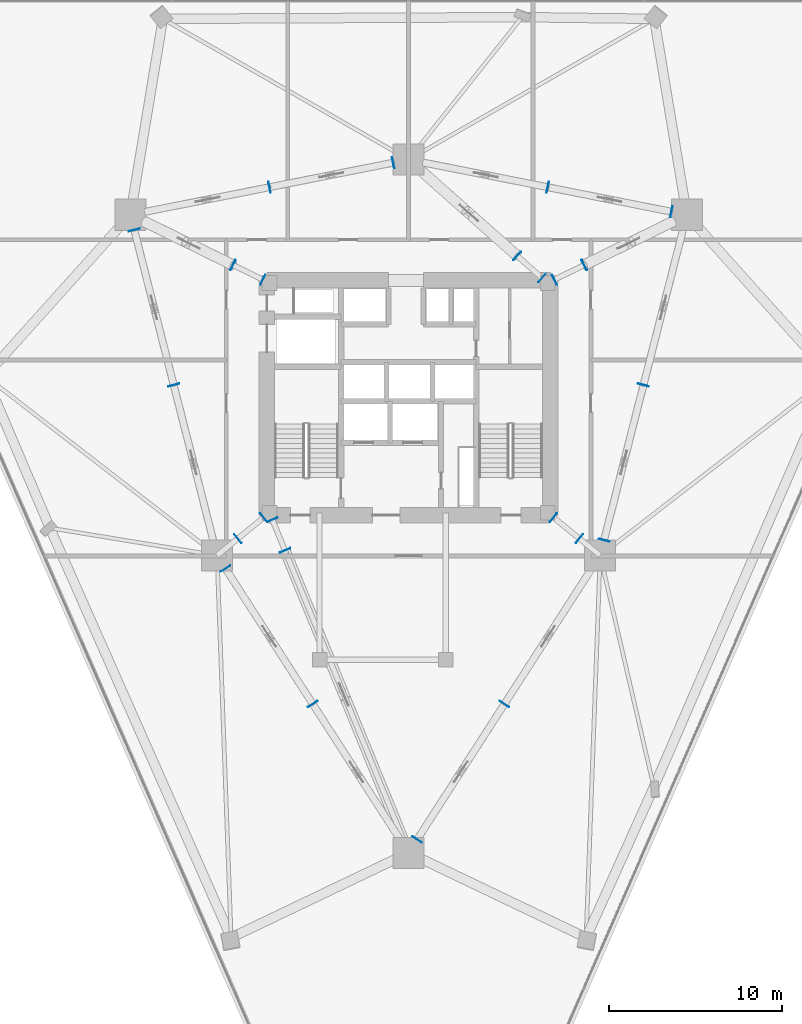
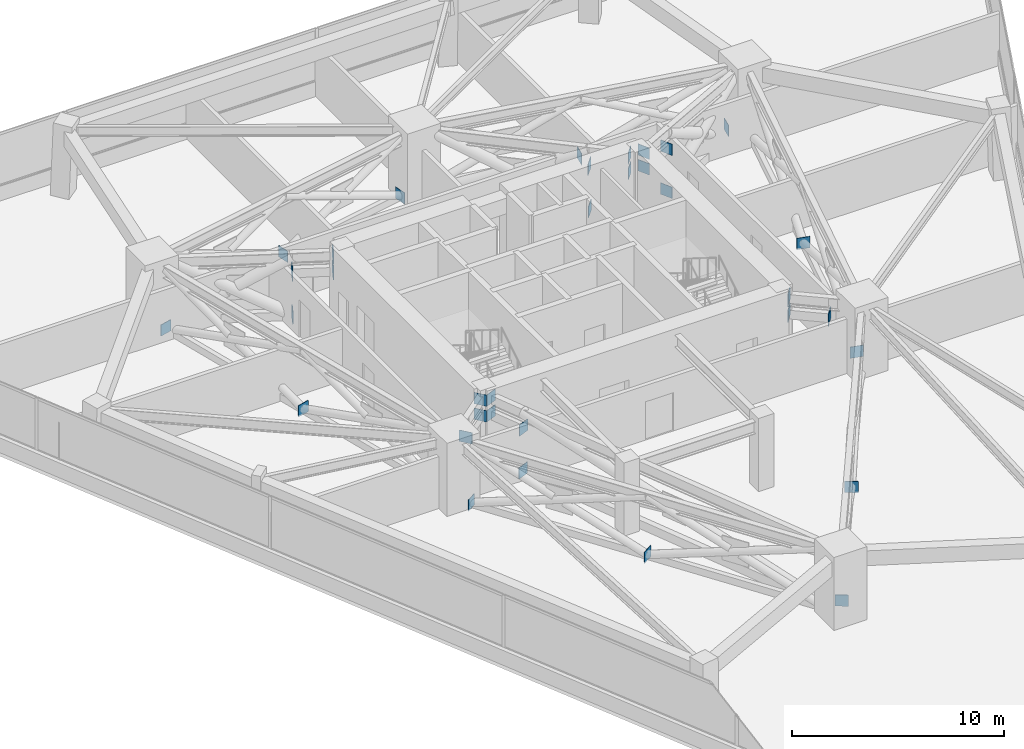
# One storey, part 16 of 20: 34 plates.
"""IFC4 building model written with IfcOpenShell, lengths in metres."""

import ifcopenshell
import ifcopenshell.guid

model = None  # the IFC model being written
_history = None  # IfcOwnerHistory: only IFC2X3 demands one
_inside = {}  # id of a spatial element -> (the spatial element, [elements in it])
_under = {}  # id of a project, library or spatial element -> (it, [spatial elements below it])
_declared = {}  # id of a project -> (the project, [libraries it declares])
_typed = {}  # id of a type object -> (the type object, [elements of that type])
_made_of = {}  # id of a material, layer set ... -> (it, [elements and type objects made of it])


def new_model(schema):
    """Start an empty IFC model of exactly this schema.

    Asked for "IFC4X3", IfcOpenShell would pick the latest addendum, in which some entities
    have other attributes; the version numbers below select the first issue.
    IFC2X3 requires an IfcOwnerHistory on every rooted entity: one is made here for all.
    """
    global model, _history
    if schema == "IFC4X3":
        model = ifcopenshell.file(schema_version=(4, 3, 0, 0))
    else:
        model = ifcopenshell.file(schema=schema)
    _inside.clear()
    _under.clear()
    _declared.clear()
    _typed.clear()
    _made_of.clear()
    _history = None
    if model.schema == "IFC2X3":
        org = make("IfcOrganization", Name="unknown")
        user = make(
            "IfcPersonAndOrganization",
            ThePerson=make("IfcPerson", FamilyName="unknown"),
            TheOrganization=org,
        )
        app = make(
            "IfcApplication",
            ApplicationDeveloper=org,
            Version="unknown",
            ApplicationFullName="unknown",
            ApplicationIdentifier="unknown",
        )
        _history = make(
            "IfcOwnerHistory",
            OwningUser=user,
            OwningApplication=app,
            ChangeAction="ADDED",
            CreationDate=0,
        )
    return model


def make(cls, **values):
    """One entity of the class cls with the attributes given. An attribute that is None is left unset."""
    return model.create_entity(
        cls, **{name: value for name, value in values.items() if value is not None}
    )


def rooted(cls, **values):
    """An entity with a GlobalId (a new one), such as an element, a storey or a relation."""
    return make(cls, GlobalId=ifcopenshell.guid.new(), OwnerHistory=_history, **values)


def si_unit(unit_type, name, prefix=None):
    """IfcSIUnit, for example si_unit("LENGTHUNIT", "METRE", prefix="MILLI")."""
    return make("IfcSIUnit", UnitType=unit_type, Prefix=prefix, Name=name)


def assignment(units):
    """IfcUnitAssignment: the units of a project."""
    return None if units is None else make("IfcUnitAssignment", Units=units)


def point(xyz):
    """IfcCartesianPoint."""
    return None if xyz is None else make("IfcCartesianPoint", Coordinates=xyz)


def direction(xyz):
    """IfcDirection."""
    return None if xyz is None else make("IfcDirection", DirectionRatios=xyz)


def frame(location, z_axis=None, x_axis=None):
    """IfcAxis2Placement3D, a coordinate frame: its origin and axes. An axis left out is left unset."""
    return make(
        "IfcAxis2Placement3D",
        Location=point(location),
        Axis=direction(z_axis),
        RefDirection=direction(x_axis),
    )


def frame_2d(location, x_axis=None):
    """IfcAxis2Placement2D, a coordinate frame in the plane: its origin and x axis."""
    return make(
        "IfcAxis2Placement2D", Location=point(location), RefDirection=direction(x_axis)
    )


def origin():
    """The frame at (0, 0, 0) with its axes left unset."""
    return frame((0.0, 0.0, 0.0))


def origin_2d():
    """The frame at (0, 0) in the plane with its x axis left unset."""
    return frame_2d((0.0, 0.0))


def place(relative_to, where):
    """IfcLocalPlacement: puts the frame where relative to a parent placement (None: the world)."""
    return make(
        "IfcLocalPlacement", PlacementRelTo=relative_to, RelativePlacement=where
    )


def context(
    kind, dimensions, precision=None, world=None, true_north=None, identifier=None
):
    """IfcGeometricRepresentationContext, for example the 3D "Model" context."""
    return make(
        "IfcGeometricRepresentationContext",
        ContextIdentifier=identifier,
        ContextType=kind,
        CoordinateSpaceDimension=dimensions,
        Precision=precision,
        WorldCoordinateSystem=world,
        TrueNorth=true_north,
    )


def subcontext(parent, identifier, kind, view, scale=None):
    """IfcGeometricRepresentationSubContext, for example "Body" below "Model"."""
    return make(
        "IfcGeometricRepresentationSubContext",
        ContextIdentifier=identifier,
        ContextType=kind,
        ParentContext=parent,
        TargetScale=scale,
        TargetView=view,
    )


def project(units=None, contexts=None):
    """IfcProject with its units and contexts."""
    return rooted(
        "IfcProject",
        Name="project",
        RepresentationContexts=contexts,
        UnitsInContext=assignment(units),
    )


def spatial(cls, under=None, at=None, **own):
    """A site, building, storey or space (cls), placed at a placement, below another one or the project."""
    s = rooted(cls, ObjectPlacement=at, **own)
    if under is not None:
        _under.setdefault(under.id(), (under, []))[1].append(s)
    return s


def profile(cls, at=None, kind="AREA", **sizes):
    """A parametric profile (cls). Its sizes go by their IFC names, for example OverallWidth=200.0."""
    return make(cls, ProfileType=kind, Position=at, **sizes)


def rectangle(**sizes):
    """IfcRectangleProfileDef."""
    return profile("IfcRectangleProfileDef", **sizes)


def extrude(swept, where, along, depth):
    """IfcExtrudedAreaSolid: the profile swept, set in the frame where, extruded along a direction by depth."""
    return make(
        "IfcExtrudedAreaSolid",
        SweptArea=swept,
        Position=where,
        ExtrudedDirection=direction(along),
        Depth=depth,
    )


def shape(context_of_items, identifier, shape_type, items):
    """IfcShapeRepresentation: the items that make up one representation, for example the "Body"."""
    return make(
        "IfcShapeRepresentation",
        ContextOfItems=context_of_items,
        RepresentationIdentifier=identifier,
        RepresentationType=shape_type,
        Items=items,
    )


def material(Name=None, Category=None):
    """IfcMaterial."""
    return make("IfcMaterial", Name=Name, Category=Category)


def layer(
    of_material, thickness, ventilated=None, Name=None, Category=None, Priority=None
):
    """IfcMaterialLayer: one layer of a wall or slab, of a material (None: an air gap)."""
    return make(
        "IfcMaterialLayer",
        Material=of_material,
        LayerThickness=thickness,
        IsVentilated=ventilated,
        Name=Name,
        Category=Category,
        Priority=Priority,
    )


def layer_set(layers, Name=None):
    """IfcMaterialLayerSet."""
    return make("IfcMaterialLayerSet", MaterialLayers=layers, LayerSetName=Name)


def made_of(thing, what):
    """Note that an element or type object is made of a material, layer set ...; save() writes the relation."""
    if what is not None:
        _made_of.setdefault(what.id(), (what, []))[1].append(thing)
    return thing


def type_object(cls, material=None, **own):
    """A type object (cls), such as IfcWallType, which elements share."""
    return made_of(rooted(cls, **own), material)


def element(
    cls,
    number,
    at=None,
    inside=None,
    cuts=None,
    type_object=None,
    material=None,
    context=None,
    identifier="Body",
    shape_type=None,
    held_by="IfcProductDefinitionShape",
    body=None,
    shapes=None,
    **own,
):
    """One element of the class cls, such as IfcWall. Its Tag is "e" and its number.

    at: its placement. inside: the storey or other place that contains it. cuts: it is an
    opening in that element (IfcRelVoidsElement). A single representation is given by context,
    identifier, shape_type and body (its items); several are given by shapes. held_by: the class
    of the entity that holds the representations. save() writes the other relations.
    """
    e = rooted(cls, Tag="e%d" % number, ObjectPlacement=at, **own)
    if body is not None:
        shapes = [shape(context, identifier, shape_type, body)]
    if shapes is not None:
        e.Representation = make(held_by, Representations=shapes)
    if inside is not None:
        _inside.setdefault(inside.id(), (inside, []))[1].append(e)
    if cuts is not None:
        rooted(
            "IfcRelVoidsElement", RelatingBuildingElement=cuts, RelatedOpeningElement=e
        )
    if type_object is not None:
        _typed.setdefault(type_object.id(), (type_object, []))[1].append(e)
    return made_of(e, material)


def aggregate(whole, parts):
    """IfcRelAggregates: a whole, such as a stair, and the parts it consists of."""
    return rooted("IfcRelAggregates", RelatingObject=whole, RelatedObjects=parts)


def save(model, path):
    """Write the relations noted so far, then the file.

    IfcRelAggregates (storeys below a building ...), IfcRelContainedInSpatialStructure (elements
    in a storey), IfcRelDefinesByType, IfcRelAssociatesMaterial and IfcRelDeclares: one each for
    every whole, place, type object, material and project.
    """
    for whole, parts in _under.values():
        aggregate(whole, parts)
    for where, things in _inside.values():
        rooted(
            "IfcRelContainedInSpatialStructure",
            RelatedElements=things,
            RelatingStructure=where,
        )
    for kind, things in _typed.values():
        rooted("IfcRelDefinesByType", RelatedObjects=things, RelatingType=kind)
    for what, things in _made_of.values():
        rooted("IfcRelAssociatesMaterial", RelatedObjects=things, RelatingMaterial=what)
    for by, libraries in _declared.values():
        rooted("IfcRelDeclares", RelatingContext=by, RelatedDefinitions=libraries)
    model.write(path)


model = new_model("IFC4")

# Units and contexts
model_context = context("Model", 3, precision=1e-05, world=origin(), true_north=direction((0.0, 1.0)))
body_context = subcontext(model_context, "Body", "Model", "MODEL_VIEW")
ifc_project = project(units=[si_unit("LENGTHUNIT", "METRE"), si_unit("AREAUNIT", "SQUARE_METRE"), si_unit("VOLUMEUNIT", "CUBIC_METRE"), si_unit("PLANEANGLEUNIT", "RADIAN"), si_unit("MASSUNIT", "GRAM", prefix="KILO")], contexts=[model_context])

# Site, building, storey
site_placement = place(None, origin())
site = spatial("IfcSite", under=ifc_project, at=site_placement, CompositionType="ELEMENT")
building_placement = place(site_placement, origin())
building = spatial("IfcBuilding", under=site, at=building_placement, Name="Talyreon Biosciences Tower", CompositionType="ELEMENT")
storey_placement = place(building_placement, frame((0.0, 0.0, 66.60009765625)))
storey = spatial("IfcBuildingStorey", under=building, at=storey_placement, Name="L17", CompositionType="ELEMENT", Elevation=66.60009765625)

# Plates
ifc_material = material(Name="Steel SM355", Category="steel")
ifc_layer = layer(ifc_material, 0.028076171875)
ifc_layer_set = layer_set([ifc_layer], Name="Steel SM355")
plate_type = type_object("IfcPlateType", Name="HollowEndCapPlate_28", PredefinedType="SHEET", material=ifc_layer_set)
for number, where, z_axis, x_axis, name in (
    (1, (58.11474609375, 60.947509765625, 3.27490234375), (0.0, 0.0, 1.0), (0.925580150933, 0.378551692902, 0.0), "Truss node plate NP-L17-OC-1"),
    (2, (58.11474609375, 60.947509765625, 2.375), (0.0, 0.0, 1.0), (0.925580150933, 0.378551692902, 0.0), "Truss node plate NP-L17-OCM0-1"),
    (3, (58.844970703125, 59.161865234375, 2.375), (0.0, 0.0, 1.0), (0.925580150933, 0.378551692902, 0.0), "Truss node plate NP-L17-OCM1-1"),
    (4, (58.839599609375, 59.1748046875, -0.0849609375), (0.0, 0.0, 1.0), (0.925586757766, 0.378535538423, 0.0), "Truss node plate NP-OUT-L17-R1-E"),
    (5, (74.387451171875, 61.075439453125, 3.27490234375), (0.0, 0.0, 1.0), (0.631000821652, 0.775782162127, 0.0), "Truss node plate NP-L17-OC-2"),
    (6, (74.387451171875, 61.075439453125, 2.375), (0.0, 0.0, 1.0), (0.631000821652, 0.775782162127, 0.0), "Truss node plate NP-L17-OCM0-2"),
    (7, (75.884033203125, 59.8583984375, 2.375), (0.0, 0.0, 1.0), (0.631000821652, 0.775782162127, 0.0), "Truss node plate NP-L17-OCM1-2"),
    (8, (74.440673828125, 74.841552734375, 3.27490234375), (0.0, 0.0, 1.0), (-0.440283955252, 0.89785858505, 0.0), "Truss node plate NP-L17-OC-3"),
    (9, (74.440673828125, 74.841552734375, 2.375), (0.0, 0.0, 1.0), (-0.440283955252, 0.89785858505, 0.0), "Truss node plate NP-L17-OCM0-3"),
    (10, (76.172607421875, 75.69091796875, 2.375), (0.0, 0.0, 1.0), (-0.440283955252, 0.89785858505, 0.0), "Truss node plate NP-L17-OCM1-3"),
    (11, (76.159912109375, 75.684814453125, -0.0849609375), (0.0, 0.0, 1.0), (-0.440283955252, 0.89785858505, 0.0), "Truss node plate NP-OUT-L17-R3-E"),
    (12, (73.724609375, 74.938720703125, 3.27490234375), (0.0, 0.0, 1.0), (-0.663495401773, -0.748180360492, 0.0), "Truss node plate NP-L17-OC-4"),
    (13, (73.724609375, 74.938720703125, 2.375), (0.0, 0.0, 1.0), (-0.663495401773, -0.748180360492, 0.0), "Truss node plate NP-L17-OCM0-4"),
    (14, (72.28125, 76.218505859375, 2.375), (0.0, 0.0, 1.0), (-0.663495401773, -0.748180360492, 0.0), "Truss node plate NP-L17-OCM1-4"),
    (15, (72.291748046875, 76.209228515625, -0.0849609375), (0.0, 0.0, 1.0), (-0.663495401773, -0.748180360492, 0.0), "Truss node plate NP-OUT-L17-R4-E"),
    (16, (57.559326171875, 74.841552734375, 3.27490234375), (0.0, 0.0, 1.0), (-0.440283955252, -0.89785858505, 0.0), "Truss node plate NP-L17-OC-5"),
    (17, (57.559326171875, 74.841552734375, 2.375), (0.0, 0.0, 1.0), (-0.440283955252, -0.89785858505, 0.0), "Truss node plate NP-L17-OCM0-5"),
    (18, (55.827392578125, 75.69091796875, 2.375), (0.0, 0.0, 1.0), (-0.440283955252, -0.89785858505, 0.0), "Truss node plate NP-L17-OCM1-5"),
    (19, (55.840087890625, 75.684814453125, -0.0849609375), (0.0, 0.0, 1.0), (-0.440283955252, -0.89785858505, 0.0), "Truss node plate NP-OUT-L17-R5-E"),
    (20, (57.612548828125, 61.075439453125, 3.27490234375), (0.0, 0.0, 1.0), (0.631000821652, -0.775782162127, 0.0), "Truss node plate NP-L17-OC-6"),
    (21, (57.612548828125, 61.075439453125, 2.375), (0.0, 0.0, 1.0), (0.631000821652, -0.775782162127, 0.0), "Truss node plate NP-L17-OCM0-6"),
    (22, (56.115966796875, 59.8583984375, 2.375), (0.0, 0.0, 1.0), (0.631000821652, -0.775782162127, 0.0), "Truss node plate NP-L17-OCM1-6"),
    (23, (66.49267578125, 42.431884765625, -0.0849609375), (0.0, 0.0, 1.0), (-0.840727294555, 0.54145878531, 0.0), "Truss node plate NP-BELT-L17-B1S1-E"),
    (24, (71.543212890625, 50.273681640625, -0.0849609375), (0.0, 0.0, 1.0), (-0.840717844189, 0.541473458687, 0.0), "Truss node plate NP-BELT-L17-B1S2-E"),
    (25, (77.310546875, 59.76220703125, -0.0849609375), (0.0, 0.0, 1.0), (-0.969132019352, 0.246542347409, 0.0), "Truss node plate NP-BELT-L17-B2S1-E"),
    (26, (79.59423828125, 68.739501953125, -0.0849609375), (0.0, 0.0, 1.0), (-0.969132019352, 0.246542347409, 0.0), "Truss node plate NP-BELT-L17-B2S2-E"),
    (27, (81.209716796875, 78.775634765625, -0.0849609375), (0.0, 0.0, 1.0), (-0.194337075538, -0.980934809797, 0.0), "Truss node plate NP-BELT-L17-B3S1-E"),
    (28, (74.05126953125, 80.19384765625, -0.0849609375), (0.0, 0.0, 1.0), (-0.194337075538, -0.980934809797, 0.0), "Truss node plate NP-BELT-L17-B3S2-E"),
    (29, (65.107421875, 81.612060546875, -0.0849609375), (0.0, 0.0, 1.0), (0.194337075538, -0.980934809797, 0.0), "Truss node plate NP-BELT-L17-B4S1-E"),
    (30, (57.94873046875, 80.19384765625, -0.0849609375), (0.0, 0.0, 1.0), (0.194337075538, -0.980934809797, 0.0), "Truss node plate NP-BELT-L17-B4S2-E"),
    (31, (50.1220703125, 77.716796875, -0.0849609375), (0.0, 0.0, 1.0), (0.969132019352, 0.246542347409, 0.0), "Truss node plate NP-BELT-L17-B5S1-E"),
    (32, (52.40576171875, 68.739501953125, -0.0849609375), (0.0, 0.0, 1.0), (0.969132019352, 0.246542347409, 0.0), "Truss node plate NP-BELT-L17-B5S2-E"),
    (33, (55.406494140625, 58.115234375, -0.0849609375), (0.0, 0.0, 1.0), (0.840717844189, 0.541473458687, 0.0), "Truss node plate NP-BELT-L17-B6S1-E"),
    (34, (60.456787109375, 50.273681640625, -0.0849609375), (0.0, 0.0, 1.0), (0.840727294555, 0.54145878531, 0.0), "Truss node plate NP-BELT-L17-B6S2-E"),
):
    element("IfcPlate", number, at=place(storey_placement, frame(where, z_axis=z_axis, x_axis=x_axis)), inside=storey, type_object=plate_type, Name=name, PredefinedType="SHEET", context=body_context, shape_type="SweptSolid", body=[
        extrude(rectangle(XDim=0.64990234375, YDim=0.028076171875, at=origin_2d()), origin(), (0.0, 0.0, 1.0), 0.64990234375),
    ])

save(model, "model.ifc")
